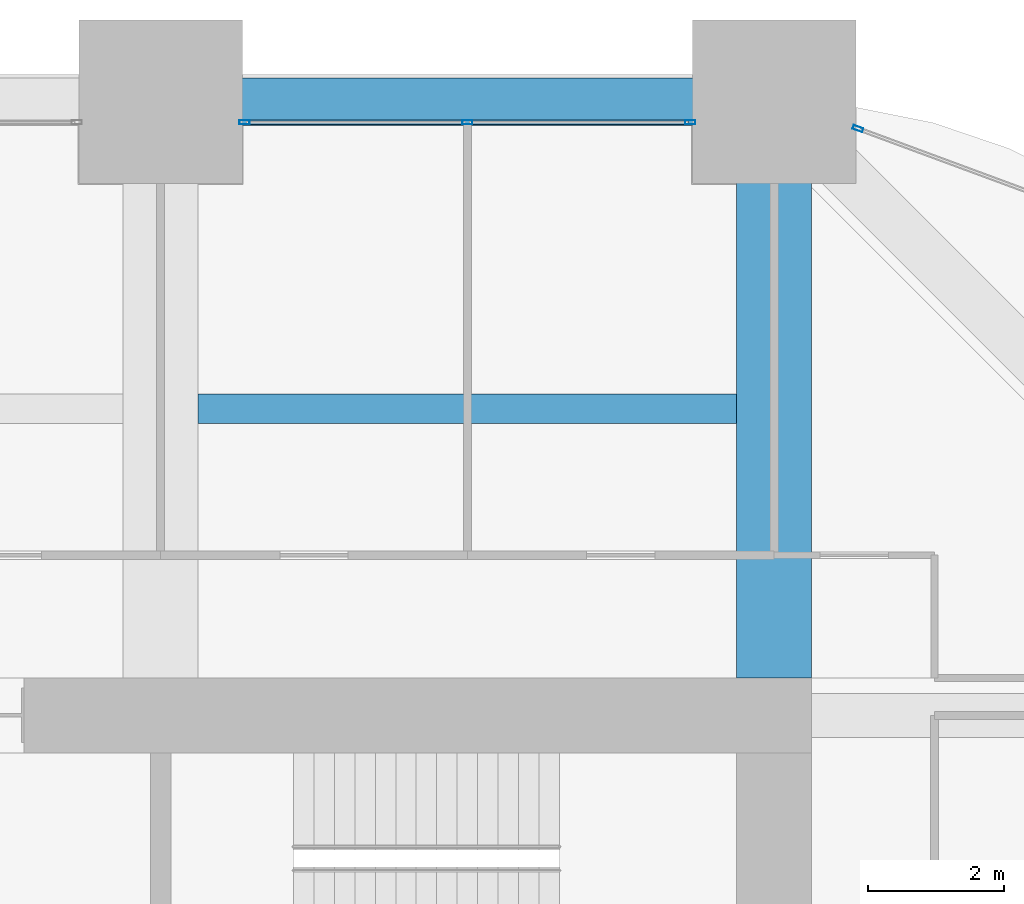
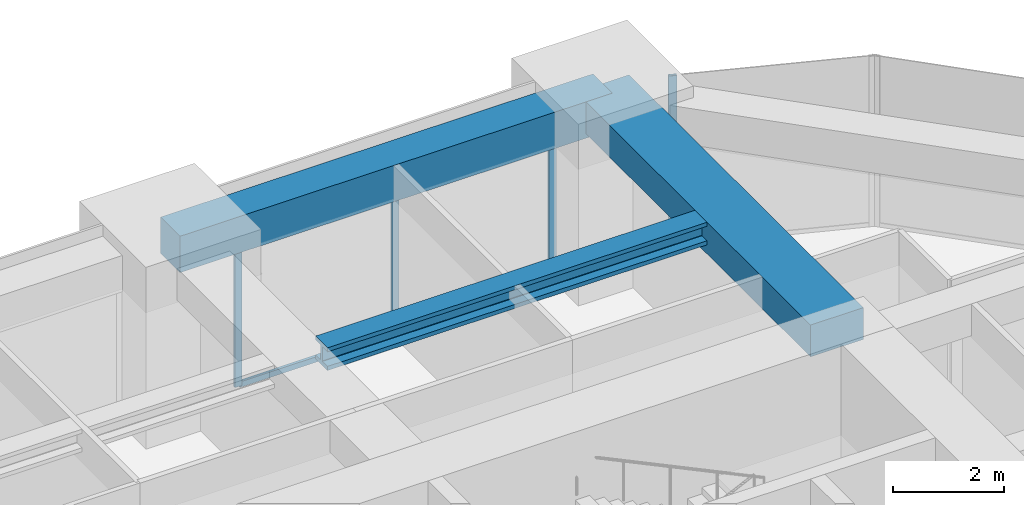
# One storey, part 26 of 33: 5 members, 3 beams, 2 elements without a shape of their own.
"""IFC4 building model written with IfcOpenShell, lengths in metres."""

from ifc_helpers import new_model, si_unit, direction, frame, origin, origin_2d, place, context, subcontext, project, spatial, rectangle, hollow_rectangle, i_section, extrude, material, material_profile, profile_set, type_object, element, aggregate, save


model = new_model("IFC4")

# Units and contexts
model_context = context("Model", 3, precision=1e-05, world=origin(), true_north=direction((0.0, 1.0)))
body_context = subcontext(model_context, "Body", "Model", "MODEL_VIEW")
ifc_project = project(units=[si_unit("LENGTHUNIT", "METRE"), si_unit("AREAUNIT", "SQUARE_METRE"), si_unit("VOLUMEUNIT", "CUBIC_METRE"), si_unit("PLANEANGLEUNIT", "RADIAN"), si_unit("MASSUNIT", "GRAM", prefix="KILO")], contexts=[model_context])

# Site, building, storey
site_placement = place(None, origin())
site = spatial("IfcSite", under=ifc_project, at=site_placement, CompositionType="ELEMENT")
building_placement = place(site_placement, origin())
building = spatial("IfcBuilding", under=site, at=building_placement, Name="Zorevar Civic Tower", CompositionType="ELEMENT")
storey_placement = place(building_placement, frame((0.0, 0.0, 194.199951171875)))
storey = spatial("IfcBuildingStorey", under=building, at=storey_placement, Name="L47", CompositionType="ELEMENT", Elevation=194.199951171875)

# Beam
ifc_material_1 = material(Name="Concrete C50/60", Category="concrete")
ifc_material_profile_1 = material_profile(ifc_material_1, rectangle(XDim=1.10009765625, YDim=0.699951171875, at=origin_2d()), Name="RC 1100x700")
ifc_profile_set_1 = profile_set([ifc_material_profile_1], Name="Concrete C50/60")
beam_type_1 = type_object("IfcBeamType", Name="Beam RC 1100x700", PredefinedType="BEAM", material=ifc_profile_set_1)
beam_1_placement = place(storey_placement, frame((45.0, 36.550048828125, 3.400146484375), z_axis=(0.0, 1.0, 0.0), x_axis=(-1.0, 0.0, 0.0)))
element("IfcBeam", 1, at=beam_1_placement, inside=storey, type_object=beam_type_1, Name="Girder L48", PredefinedType="BEAM", context=body_context, shape_type="SweptSolid", body=[
    extrude(rectangle(XDim=1.10009765625, YDim=0.699951171875, at=origin_2d()), origin(), (0.0, 0.0, 1.0), 8.449951171875),
])

# Curtain wall, members
ifc_material_2 = material(Name="Dark grey solar-control glass in black aluminium frame", Category="aluminium")
curtain_wall_type = type_object("IfcCurtainWallType", Name="Curtain wall CW4 high zone", PredefinedType="NOTDEFINED", material=ifc_material_2)
curtain_wall_1_placement = place(storey_placement, origin())
curtain_wall_1 = element("IfcCurtainWall", 2, at=curtain_wall_1_placement, inside=storey, type_object=curtain_wall_type, Name="CW4 L47", PredefinedType="NOTDEFINED")
ifc_material_3 = material(Name="Aluminium, black anodised", Category="aluminium")
ifc_material_profile_2 = material_profile(ifc_material_3, hollow_rectangle(XDim=0.06005859375, YDim=0.14990234375, WallThickness=0.00390625, at=origin_2d()), Name="AL 150x60x4")
ifc_profile_set_2 = profile_set([ifc_material_profile_2], Name="Aluminium, black anodised")
member_type_1 = type_object("IfcMemberType", Name="CW4 mullion AL 150x60x4", PredefinedType="MULLION", material=ifc_profile_set_2)
member_1_placement = place(storey_placement, frame((37.22998046875, 44.699951171875, 0.0), z_axis=(0.0, 0.0, 1.0), x_axis=(0.0, 1.0, 0.0)))
member_1 = element("IfcMember", 3, at=member_1_placement, type_object=member_type_1, Name="CW4 mullion 1", PredefinedType="MULLION", context=body_context, shape_type="SweptSolid", body=[
    extrude(hollow_rectangle(XDim=0.06005859375, YDim=0.14990234375, WallThickness=0.00390625, at=origin_2d()), origin(), (0.0, 0.0, 1.0), 2.949951171875),
])
member_2_placement = place(storey_placement, frame((40.5, 44.699951171875, 0.06005859375), z_axis=(0.0, 0.0, 1.0), x_axis=(0.0, 1.0, 0.0)))
member_2 = element("IfcMember", 4, at=member_2_placement, type_object=member_type_1, Name="CW4 mullion 2", PredefinedType="MULLION", context=body_context, shape_type="SweptSolid", body=[
    extrude(hollow_rectangle(XDim=0.06005859375, YDim=0.14990234375, WallThickness=0.00390625, at=origin_2d()), origin(), (0.0, 0.0, 1.0), 2.889892578125),
])
member_3_placement = place(storey_placement, frame((43.77001953125, 44.699951171875, 0.0), z_axis=(0.0, 0.0, 1.0), x_axis=(0.0, 1.0, 0.0)))
member_3 = element("IfcMember", 5, at=member_3_placement, type_object=member_type_1, Name="CW4 mullion 3", PredefinedType="MULLION", context=body_context, shape_type="SweptSolid", body=[
    extrude(hollow_rectangle(XDim=0.06005859375, YDim=0.14990234375, WallThickness=0.00390625, at=origin_2d()), origin(), (0.0, 0.0, 1.0), 2.949951171875),
])

# Curtain wall, member
curtain_wall_2_placement = place(storey_placement, origin())
curtain_wall_2 = element("IfcCurtainWall", 6, at=curtain_wall_2_placement, inside=storey, type_object=curtain_wall_type, Name="CW4 L47", PredefinedType="NOTDEFINED")
member_4_placement = place(storey_placement, frame((46.22802734375, 44.6064453125, 0.0), z_axis=(0.0, 0.0, 1.0), x_axis=(-0.346704012033, -0.937974588163, 0.0)))
member_4 = element("IfcMember", 7, at=member_4_placement, type_object=member_type_1, Name="CW4 mullion 2", PredefinedType="MULLION", context=body_context, shape_type="SweptSolid", body=[
    extrude(hollow_rectangle(XDim=0.06005859375, YDim=0.14990234375, WallThickness=0.00390625, at=origin_2d()), origin(), (0.0, 0.0, 1.0), 3.75),
])
aggregate(curtain_wall_2, [member_4])

# Member
ifc_material_4 = material(Name="Aluminium, black anodised", Category="aluminium")
ifc_material_profile_3 = material_profile(ifc_material_4, hollow_rectangle(XDim=0.06005859375, YDim=0.1201171875, WallThickness=0.0029296875, at=origin_2d()), Name="AL 120x60x3")
ifc_profile_set_3 = profile_set([ifc_material_profile_3], Name="Aluminium, black anodised")
member_type_2 = type_object("IfcMemberType", Name="CW4 transom AL 120x60x3", PredefinedType="USERDEFINED", material=ifc_profile_set_3)
member_5_placement = place(storey_placement, frame((37.260009765625, 44.699951171875, 0.030029296875), z_axis=(1.0, 0.0, 0.0), x_axis=(0.0, 1.0, 0.0)))
member_5 = element("IfcMember", 8, at=member_5_placement, type_object=member_type_2, Name="CW4 sill transom", ObjectType="TRANSOM", PredefinedType="USERDEFINED", context=body_context, shape_type="SweptSolid", body=[
    extrude(hollow_rectangle(XDim=0.06005859375, YDim=0.1201171875, WallThickness=0.0029296875, at=origin_2d()), origin(), (0.0, 0.0, 1.0), 6.47998046875),
])

aggregate(curtain_wall_1, [member_1, member_2, member_3, member_5])

# Beams
ifc_material_5 = material(Name="Steel S460M (HISTAR 460)", Category="steel")
ifc_material_profile_4 = material_profile(ifc_material_5, i_section(OverallWidth=0.431884765625, OverallDepth=0.498046875, WebThickness=0.0556640625, FlangeThickness=0.0888671875, FilletRadius=0.014892578125, at=origin_2d()), Name="HD 400x744")
ifc_profile_set_4 = profile_set([ifc_material_profile_4], Name="Steel S460M (HISTAR 460)")
beam_type_2 = type_object("IfcBeamType", Name="Core bay beam HD 400x744", PredefinedType="BEAM", material=ifc_profile_set_4)
beam_2_placement = place(storey_placement, frame((36.550048828125, 40.5, 3.5009765625), z_axis=(1.0, 0.0, 0.0), x_axis=(0.0, 1.0, 0.0)))
element("IfcBeam", 9, at=beam_2_placement, inside=storey, type_object=beam_type_2, Name="Secondary beam L48", PredefinedType="BEAM", context=body_context, shape_type="SweptSolid", body=[
    extrude(i_section(OverallWidth=0.431884765625, OverallDepth=0.498046875, WebThickness=0.0556640625, FlangeThickness=0.0888671875, FilletRadius=0.014892578125, at=origin_2d()), origin(), (0.0, 0.0, 1.0), 7.89990234375),
])
ifc_material_6 = material(Name="Concrete C50/60", Category="concrete")
ifc_material_profile_5 = material_profile(ifc_material_6, rectangle(XDim=0.699951171875, YDim=0.800048828125, at=origin_2d()), Name="RC 700x800")
ifc_profile_set_5 = profile_set([ifc_material_profile_5], Name="Concrete C50/60")
beam_type_3 = type_object("IfcBeamType", Name="Edge beam RC 700x800", PredefinedType="SPANDREL", material=ifc_profile_set_5)
beam_3_placement = place(storey_placement, frame((36.0, 45.0, 3.35009765625), z_axis=(1.0, 0.0, 0.0), x_axis=(0.0, 1.0, 0.0)))
element("IfcBeam", 10, at=beam_3_placement, inside=storey, type_object=beam_type_3, Name="Edge beam L48", PredefinedType="SPANDREL", context=body_context, shape_type="SweptSolid", body=[
    extrude(rectangle(XDim=0.699951171875, YDim=0.800048828125, at=origin_2d()), origin(), (0.0, 0.0, 1.0), 9.0),
])

save(model, "model.ifc")
